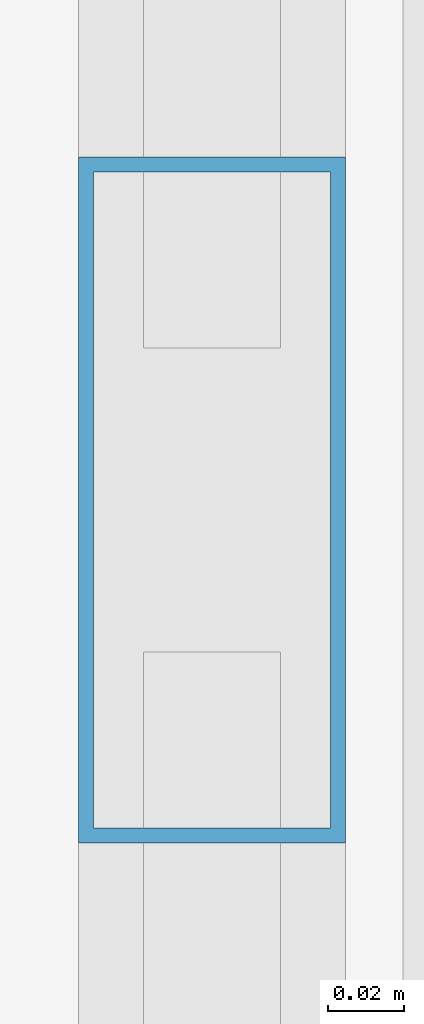
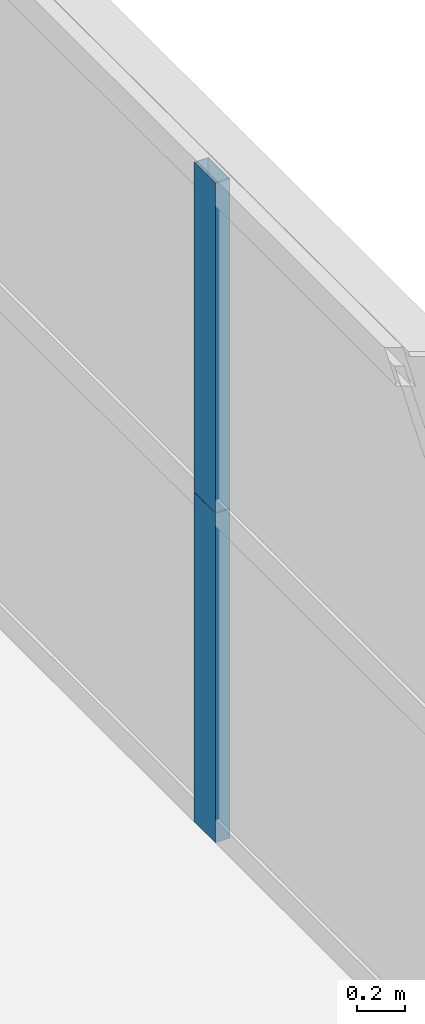
# One storey, part 20 of 43: 2 members, 1 element without a shape of its own.
"""IFC4 building model written with IfcOpenShell, lengths in metres."""

from ifc_helpers import new_model, si_unit, direction, frame, origin, origin_2d, place, context, subcontext, project, spatial, hollow_rectangle, extrude, source, transform, mapped, material, layer, layer_set, material_profile, profile_set, type_object, element, aggregate, save


model = new_model("IFC4")

# Units and contexts
model_context = context("Model", 3, precision=1e-05, world=origin(), true_north=direction((0.0, 1.0)))
body_context = subcontext(model_context, "Body", "Model", "MODEL_VIEW")
ifc_project = project(units=[si_unit("LENGTHUNIT", "METRE"), si_unit("AREAUNIT", "SQUARE_METRE"), si_unit("VOLUMEUNIT", "CUBIC_METRE"), si_unit("PLANEANGLEUNIT", "RADIAN"), si_unit("MASSUNIT", "GRAM", prefix="KILO"), si_unit("THERMODYNAMICTEMPERATUREUNIT", "KELVIN"), si_unit("POWERUNIT", "WATT")], contexts=[model_context])

# Site, building, storey
site_placement = place(None, origin())
site = spatial("IfcSite", under=ifc_project, at=site_placement, CompositionType="ELEMENT")
building_placement = place(site_placement, origin())
building = spatial("IfcBuilding", under=site, at=building_placement, Name="Yuzanri Waterfront Tower", CompositionType="ELEMENT")
storey_placement = place(building_placement, frame((0.0, 0.0, 93.800048828125)))
storey = spatial("IfcBuildingStorey", under=building, at=storey_placement, Name="L24", CompositionType="ELEMENT", Elevation=93.800048828125)

# Curtain wall, members
ifc_material_1 = material(Name="Anodized Architectural Bronze", Category="metal")
ifc_layer = layer(ifc_material_1, 0.159912109375)
ifc_layer_set = layer_set([ifc_layer], Name="Anodized Architectural Bronze")
curtain_wall_type = type_object("IfcCurtainWallType", Name="Anodized Bronze Hotel Upper-Tier Solar-Control Unitized Curtain Wall 7800", PredefinedType="NOTDEFINED", material=ifc_layer_set)
curtain_wall_placement = place(storey_placement, origin())
curtain_wall = element("IfcCurtainWall", 1, at=curtain_wall_placement, inside=storey, type_object=curtain_wall_type, Name="L24 Curtain Wall CW-L24-EL", PredefinedType="NOTDEFINED")
ifc_material_2 = material(Name="Anodized Architectural Bronze", Category="metal")
ifc_material_profile = material_profile(ifc_material_2, hollow_rectangle(XDim=0.070068359375, YDim=0.179931640625, WallThickness=0.00390625, at=origin_2d()), Name="CWM 70x180")
ifc_profile_set = profile_set([ifc_material_profile], Name="Anodized Architectural Bronze")
member_type = type_object("IfcMemberType", Name="Anodized Bronze Standard Curtain-Wall Mullion 70x180", PredefinedType="MULLION", material=ifc_profile_set)
shared_shape = source(origin(), body_context, "Body", "SweptSolid", [
    extrude(hollow_rectangle(XDim=0.070068359375, YDim=0.179931640625, WallThickness=0.00390625, at=origin_2d()), origin(), (0.0, 0.0, 1.0), 1.68798828125),
])
member_1_placement = place(storey_placement, frame((60.449951171875, 17.449951171875, 0.0), z_axis=(0.0, 0.0, 1.0), x_axis=(1.0, 0.0, 0.0)))
member_1 = element("IfcMember", 2, at=member_1_placement, type_object=member_type, Name="CW-L24-EL Lower Mullion 01", PredefinedType="MULLION", context=body_context, shape_type="MappedRepresentation", body=[
    mapped(shared_shape, transform((0.0, 0.0, 0.0), scale=1.0)),
])
member_2_placement = place(storey_placement, frame((60.449951171875, 17.449951171875, 1.69189453125), z_axis=(0.0, 0.0, 1.0), x_axis=(1.0, 0.0, 0.0)))
member_2 = element("IfcMember", 3, at=member_2_placement, type_object=member_type, Name="CW-L24-EL Upper Mullion 01", PredefinedType="MULLION", context=body_context, shape_type="MappedRepresentation", body=[
    mapped(shared_shape, transform((0.0, 0.0, 0.0), scale=1.0)),
])
aggregate(curtain_wall, [member_1, member_2])

save(model, "model.ifc")
